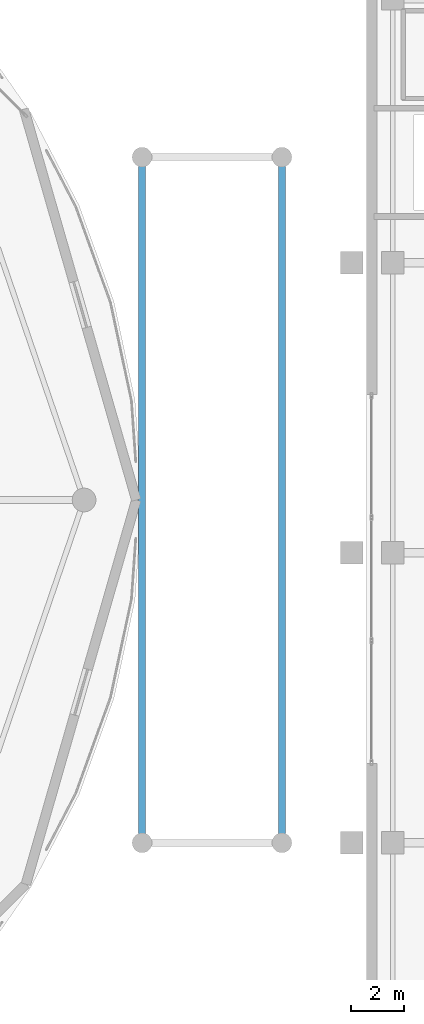
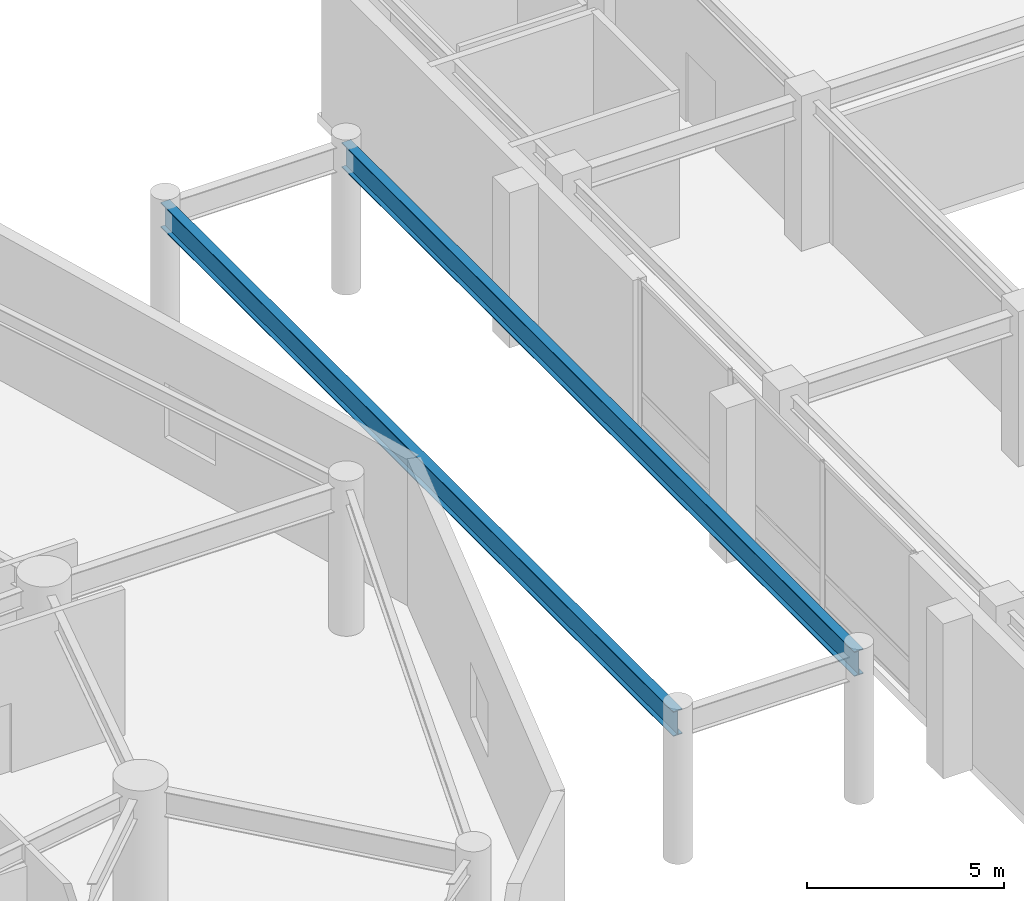
# One storey, part 17 of 40: 2 beams.
"""IFC4 building model written with IfcOpenShell, lengths in metres."""

from ifc_helpers import new_model, si_unit, direction, frame, origin, origin_2d, place, context, subcontext, project, spatial, i_section, extrude, material, material_profile, profile_set, type_object, element, save


model = new_model("IFC4")

# Units and contexts
model_context = context("Model", 3, precision=1e-05, world=origin(), true_north=direction((0.0, 1.0)))
body_context = subcontext(model_context, "Body", "Model", "MODEL_VIEW")
ifc_project = project(units=[si_unit("LENGTHUNIT", "METRE"), si_unit("AREAUNIT", "SQUARE_METRE"), si_unit("VOLUMEUNIT", "CUBIC_METRE"), si_unit("PLANEANGLEUNIT", "RADIAN"), si_unit("MASSUNIT", "GRAM", prefix="KILO")], contexts=[model_context])

# Site, building, storey
site_placement = place(None, origin())
site = spatial("IfcSite", under=ifc_project, at=site_placement, CompositionType="ELEMENT")
building_placement = place(site_placement, origin())
building = spatial("IfcBuilding", under=site, at=building_placement, Name="Kazevale Care Tower and Concert Hall", CompositionType="ELEMENT")
storey_placement = place(building_placement, frame((0.0, 0.0, 9.60009765625)))
storey = spatial("IfcBuildingStorey", under=building, at=storey_placement, Name="L02", CompositionType="ELEMENT", Elevation=9.60009765625)

# Beams
ifc_material = material(Name="Steel ASTM A572 Gr 50", Category="steel")
ifc_material_profile = material_profile(ifc_material, i_section(OverallWidth=0.26806640625, OverallDepth=0.77001953125, WebThickness=0.015625, FlangeThickness=0.025390625, at=origin_2d()), Name="W760x196")
ifc_profile_set = profile_set([ifc_material_profile], Name="Steel ASTM A572 Gr 50")
beam_type = type_object("IfcBeamType", Name="Podium Primary Girder W760x196", PredefinedType="BEAM", material=ifc_profile_set)
for number, where, z_axis, x_axis, name in (
    (1, (92.800048828125, 25.0, 4.125), (0.0, 1.0, 0.0), (-1.0, 0.0, 0.0), "beam:L02:gbox:2"),
    (2, (87.5, 51.0, 4.125), (0.0, -1.0, 0.0), (1.0, 0.0, 0.0), "beam:L02:gbox:4"),
):
    element("IfcBeam", number, at=place(storey_placement, frame(where, z_axis=z_axis, x_axis=x_axis)), inside=storey, type_object=beam_type, Name=name, PredefinedType="BEAM", context=body_context, shape_type="SweptSolid", body=[
        extrude(i_section(OverallWidth=0.26806640625, OverallDepth=0.77001953125, WebThickness=0.015625, FlangeThickness=0.025390625, at=origin_2d()), origin(), (0.0, 0.0, 1.0), 26.0),
    ])

save(model, "model.ifc")
